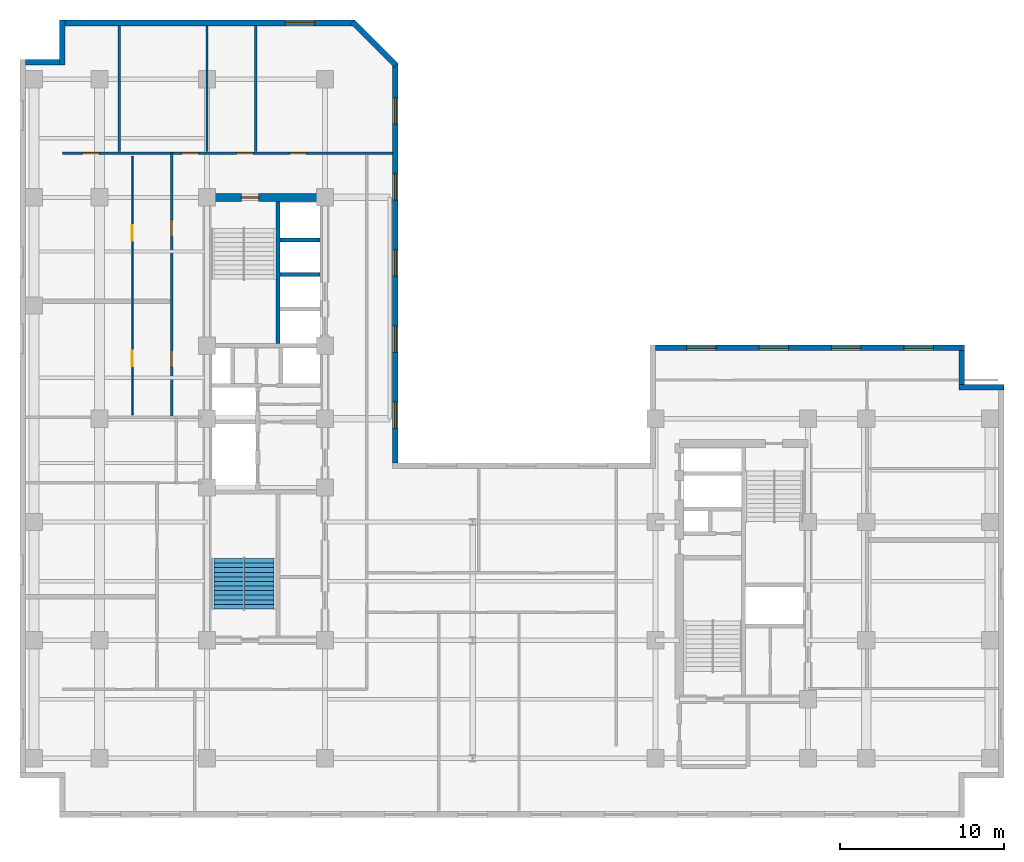
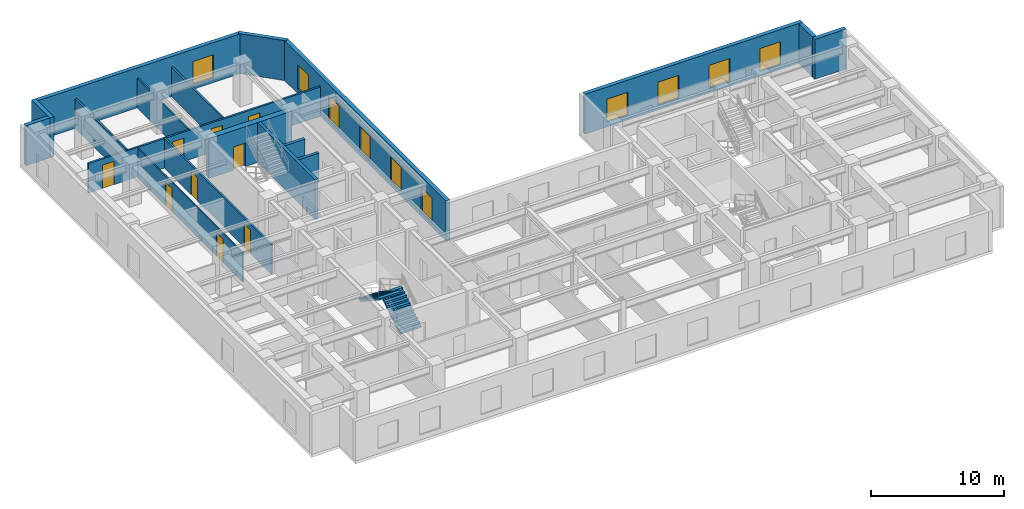
# One storey, part 6 of 10: 18 walls, 10 windows, 9 doors, 2 stair flights, 19 openings, 1 element without a shape of its own.
"""IFC4 building model written with IfcOpenShell, lengths in metres."""

from ifc_helpers import new_model, entity, si_unit, converted_unit, direction, frame, origin_with_axes, origin_2d_with_axis, place, context, subcontext, project, spatial, polyline, rectangle, outline, extrude, material, layer, layer_set, type_object, element, fill, aggregate, save


model = new_model("IFC4")

# Units and contexts
model_context = context("Model", 3, precision=1e-05, world=origin_with_axes(), true_north=direction((0.0, 1.0)))
body_context = subcontext(model_context, "Body", "Model", "MODEL_VIEW")
ifc_project = project(units=[si_unit("LENGTHUNIT", "METRE"), si_unit("AREAUNIT", "SQUARE_METRE"), si_unit("VOLUMEUNIT", "CUBIC_METRE"), converted_unit("PLANEANGLEUNIT", "DEGREE", entity("IfcPlaneAngleMeasure", 0.017453292519943295), si_unit("PLANEANGLEUNIT", "RADIAN"), dimensions=[0, 0, 0, 0, 0, 0, 0]), si_unit("MASSUNIT", "GRAM", prefix="KILO"), si_unit("THERMODYNAMICTEMPERATUREUNIT", "KELVIN")], contexts=[model_context])

# Site, building, storey
site_placement = place(None, origin_with_axes())
site = spatial("IfcSite", under=ifc_project, at=site_placement, CompositionType="ELEMENT")
building_placement = place(site_placement, origin_with_axes())
building = spatial("IfcBuilding", under=site, at=building_placement, Name="Varnlund Millrace Tower", CompositionType="ELEMENT")
storey_placement = place(building_placement, frame((0.0, 0.0, 156.3), z_axis=(0.0, 0.0, 1.0), x_axis=(1.0, 0.0, 0.0)))
storey = spatial("IfcBuildingStorey", under=building, at=storey_placement, Name="L38", CompositionType="ELEMENT", Elevation=156.3)

# Wall, opening, door
ifc_material_1 = material(Name="Concrete C70/85", Category="concrete")
ifc_layer_1 = layer(ifc_material_1, 0.5, Name="Concrete C70/85")
ifc_layer_set_1 = layer_set([ifc_layer_1], Name="Concrete C70/85")
wall_type_1 = type_object("IfcWallType", Name="Type-CoreWall-Shear-500-C70", PredefinedType="SHEAR", material=ifc_layer_set_1)
wall_1_placement = place(storey_placement, frame((11.4, 37.8, 0.0), z_axis=(0.0, 0.0, 1.0), x_axis=(1.0, 0.0, 0.0)))
wall_1 = element("IfcWall", 1, at=wall_1_placement, inside=storey, type_object=wall_type_1, Name="Type-CoreWall-Shear-500-C70", PredefinedType="SHEAR", context=body_context, shape_type="SweptSolid", body=[
    extrude(outline(polyline([(0.0, -0.25), (7.2, -0.25), (7.2, 0.25), (0.0, 0.25), (0.0, -0.25)])), origin_with_axes(), (0.0, 0.0, 1.0), 3.66),
])
opening_1_placement = place(wall_1_placement, frame((2.625, 0.0, 0.0), z_axis=(0.0, 0.0, 1.0), x_axis=(1.0, 0.0, 0.0)))
opening_1 = element("IfcOpeningElement", 2, at=opening_1_placement, cuts=wall_1, Name="Opening L38:DR-STA2", PredefinedType="OPENING", context=body_context, shape_type="SweptSolid", body=[
    extrude(rectangle(XDim=1.05, YDim=0.52, at=origin_2d_with_axis()), origin_with_axes(), (0.0, 0.0, 1.0), 2.15),
])
ifc_material_2 = material(Name="Fire-rated hollow steel door", Category="steel")
door_type_1 = type_object("IfcDoorType", Name="Type-FireDoor-Stair-1050X2150", OperationType="NOTDEFINED", PredefinedType="DOOR", material=ifc_material_2)
door_1_placement = place(wall_1_placement, frame((2.625, 0.0, 0.0), z_axis=(0.0, 0.0, 1.0), x_axis=(1.0, 0.0, 0.0)))
door_1 = element("IfcDoor", 3, at=door_1_placement, inside=storey, type_object=door_type_1, Name="Type-FireDoor-Stair-1050X2150", OperationType="SINGLE_SWING_RIGHT", OverallHeight=2.15, OverallWidth=1.05, PredefinedType="DOOR", context=body_context, shape_type="SweptSolid", body=[
    extrude(rectangle(XDim=1.05, YDim=0.09, at=origin_2d_with_axis()), origin_with_axes(), (0.0, 0.0, 1.0), 2.15),
])
fill(opening_1, door_1)

# Wall, openings, windows
ifc_material_3 = material(Name="Precast concrete C50/60", Category="concrete")
ifc_layer_2 = layer(ifc_material_3, 0.34, Name="Precast concrete C50/60")
ifc_layer_set_2 = layer_set([ifc_layer_2], Name="Precast concrete C50/60")
wall_type_2 = type_object("IfcWallType", Name="Type-ExtWall-Precast-Upper-340", PredefinedType="SOLIDWALL", material=ifc_layer_set_2)
wall_2_placement = place(storey_placement, frame((38.74, 28.63, 0.0), z_axis=(0.0, 0.0, 1.0), x_axis=(1.0, 0.0, 0.0)))
wall_2 = element("IfcWall", 4, at=wall_2_placement, inside=storey, type_object=wall_type_2, Name="Type-ExtWall-Precast-Upper-340", PredefinedType="SOLIDWALL", context=body_context, shape_type="SweptSolid", body=[
    extrude(outline(polyline([(0.0, -0.17), (18.86, -0.17), (18.86, 0.17), (0.0, 0.17), (0.0, -0.17)])), origin_with_axes(), (0.0, 0.0, 1.0), 3.66),
])
opening_2_placement = place(wall_2_placement, frame((2.808, 0.0, 0.45), z_axis=(0.0, 0.0, 1.0), x_axis=(1.0, 0.0, 0.0)))
opening_2 = element("IfcOpeningElement", 5, at=opening_2_placement, cuts=wall_2, Name="Opening L38:WN-01", PredefinedType="OPENING", context=body_context, shape_type="SweptSolid", body=[
    extrude(rectangle(XDim=1.8, YDim=0.36, at=origin_2d_with_axis()), origin_with_axes(), (0.0, 0.0, 1.0), 2.1),
])
opening_3_placement = place(wall_2_placement, frame((7.222, 0.0, 0.45), z_axis=(0.0, 0.0, 1.0), x_axis=(1.0, 0.0, 0.0)))
opening_3 = element("IfcOpeningElement", 6, at=opening_3_placement, cuts=wall_2, Name="Opening L38:WN-02", PredefinedType="OPENING", context=body_context, shape_type="SweptSolid", body=[
    extrude(rectangle(XDim=1.8, YDim=0.36, at=origin_2d_with_axis()), origin_with_axes(), (0.0, 0.0, 1.0), 2.1),
])
opening_4_placement = place(wall_2_placement, frame((11.637, 0.0, 0.45), z_axis=(0.0, 0.0, 1.0), x_axis=(1.0, 0.0, 0.0)))
opening_4 = element("IfcOpeningElement", 7, at=opening_4_placement, cuts=wall_2, Name="Opening L38:WN-03", PredefinedType="OPENING", context=body_context, shape_type="SweptSolid", body=[
    extrude(rectangle(XDim=1.8, YDim=0.36, at=origin_2d_with_axis()), origin_with_axes(), (0.0, 0.0, 1.0), 2.1),
])
opening_5_placement = place(wall_2_placement, frame((16.053, 0.0, 0.45), z_axis=(0.0, 0.0, 1.0), x_axis=(1.0, 0.0, 0.0)))
opening_5 = element("IfcOpeningElement", 8, at=opening_5_placement, cuts=wall_2, Name="Opening L38:WN-04", PredefinedType="OPENING", context=body_context, shape_type="SweptSolid", body=[
    extrude(rectangle(XDim=1.8, YDim=0.36, at=origin_2d_with_axis()), origin_with_axes(), (0.0, 0.0, 1.0), 2.1),
])
ifc_material_4 = material(Name="Argon low-e triple glazing in thermally broken bronze frame", Category="glass")
window_type_1 = type_object("IfcWindowType", Name="Type-Window-Punched-1800X2100", PartitioningType="SINGLE_PANEL", PredefinedType="WINDOW", material=ifc_material_4)
window_1_placement = place(wall_2_placement, frame((2.808, 0.0, 0.45), z_axis=(0.0, 0.0, 1.0), x_axis=(1.0, 0.0, 0.0)))
window_1 = element("IfcWindow", 9, at=window_1_placement, inside=storey, type_object=window_type_1, Name="Type-Window-Punched-1800X2100", OverallHeight=2.1, OverallWidth=1.8, PredefinedType="WINDOW", context=body_context, shape_type="SweptSolid", body=[
    extrude(rectangle(XDim=1.8, YDim=0.09, at=origin_2d_with_axis()), origin_with_axes(), (0.0, 0.0, 1.0), 2.1),
])
fill(opening_2, window_1)
window_2_placement = place(wall_2_placement, frame((7.222, 0.0, 0.45), z_axis=(0.0, 0.0, 1.0), x_axis=(1.0, 0.0, 0.0)))
window_2 = element("IfcWindow", 10, at=window_2_placement, inside=storey, type_object=window_type_1, Name="Type-Window-Punched-1800X2100", OverallHeight=2.1, OverallWidth=1.8, PredefinedType="WINDOW", context=body_context, shape_type="SweptSolid", body=[
    extrude(rectangle(XDim=1.8, YDim=0.09, at=origin_2d_with_axis()), origin_with_axes(), (0.0, 0.0, 1.0), 2.1),
])
fill(opening_3, window_2)
window_3_placement = place(wall_2_placement, frame((11.637, 0.0, 0.45), z_axis=(0.0, 0.0, 1.0), x_axis=(1.0, 0.0, 0.0)))
window_3 = element("IfcWindow", 11, at=window_3_placement, inside=storey, type_object=window_type_1, Name="Type-Window-Punched-1800X2100", OverallHeight=2.1, OverallWidth=1.8, PredefinedType="WINDOW", context=body_context, shape_type="SweptSolid", body=[
    extrude(rectangle(XDim=1.8, YDim=0.09, at=origin_2d_with_axis()), origin_with_axes(), (0.0, 0.0, 1.0), 2.1),
])
fill(opening_4, window_3)
window_4_placement = place(wall_2_placement, frame((16.053, 0.0, 0.45), z_axis=(0.0, 0.0, 1.0), x_axis=(1.0, 0.0, 0.0)))
window_4 = element("IfcWindow", 12, at=window_4_placement, inside=storey, type_object=window_type_1, Name="Type-Window-Punched-1800X2100", OverallHeight=2.1, OverallWidth=1.8, PredefinedType="WINDOW", context=body_context, shape_type="SweptSolid", body=[
    extrude(rectangle(XDim=1.8, YDim=0.09, at=origin_2d_with_axis()), origin_with_axes(), (0.0, 0.0, 1.0), 2.1),
])
fill(opening_5, window_4)

# Walls
wall_3_placement = place(storey_placement, frame((57.43, 28.46, 0.0), z_axis=(0.0, 0.0, 1.0), x_axis=(0.0, -1.0, 0.0)))
element("IfcWall", 13, at=wall_3_placement, inside=storey, type_object=wall_type_2, Name="Type-ExtWall-Precast-Upper-340", PredefinedType="SOLIDWALL", context=body_context, shape_type="SweptSolid", body=[
    extrude(outline(polyline([(0.0, -0.17), (2.06, -0.17), (2.06, 0.17), (0.0, 0.17), (0.0, -0.17)])), origin_with_axes(), (0.0, 0.0, 1.0), 3.66),
])
wall_4_placement = place(storey_placement, frame((57.26, 26.23, 0.0), z_axis=(0.0, 0.0, 1.0), x_axis=(1.0, 0.0, 0.0)))
element("IfcWall", 14, at=wall_4_placement, inside=storey, type_object=wall_type_2, Name="Type-ExtWall-Precast-Upper-340", PredefinedType="SOLIDWALL", context=body_context, shape_type="SweptSolid", body=[
    extrude(outline(polyline([(0.0, -0.17), (2.74, -0.17), (2.74, 0.17), (0.0, 0.17), (0.0, -0.17)])), origin_with_axes(), (0.0, 0.0, 1.0), 3.66),
])
wall_5_placement = place(storey_placement, frame((0.34, 46.03, 0.0), z_axis=(0.0, 0.0, 1.0), x_axis=(1.0, 0.0, 0.0)))
element("IfcWall", 15, at=wall_5_placement, inside=storey, type_object=wall_type_2, Name="Type-ExtWall-Precast-Upper-340", PredefinedType="SOLIDWALL", context=body_context, shape_type="SweptSolid", body=[
    extrude(outline(polyline([(0.0, -0.17), (2.06, -0.17), (2.06, 0.17), (0.0, 0.17), (0.0, -0.17)])), origin_with_axes(), (0.0, 0.0, 1.0), 3.66),
])
wall_6_placement = place(storey_placement, frame((2.57, 45.86, 0.0), z_axis=(0.0, 0.0, 1.0), x_axis=(0.0, 1.0, 0.0)))
element("IfcWall", 16, at=wall_6_placement, inside=storey, type_object=wall_type_2, Name="Type-ExtWall-Precast-Upper-340", PredefinedType="SOLIDWALL", context=body_context, shape_type="SweptSolid", body=[
    extrude(outline(polyline([(0.0, -0.17), (2.74, -0.17), (2.74, 0.17), (0.0, 0.17), (0.0, -0.17)])), origin_with_axes(), (0.0, 0.0, 1.0), 3.66),
])

# Wall, opening, window
wall_7_placement = place(storey_placement, frame((2.74, 48.43, 0.0), z_axis=(0.0, 0.0, 1.0), x_axis=(1.0, 0.0, 0.0)))
wall_7 = element("IfcWall", 17, at=wall_7_placement, inside=storey, type_object=wall_type_2, Name="Type-ExtWall-Precast-Upper-340", PredefinedType="SOLIDWALL", context=body_context, shape_type="SweptSolid", body=[
    extrude(outline(polyline([(0.0, -0.17), (17.672, -0.17), (17.672, 0.17), (0.0, 0.17), (0.0, -0.17)])), origin_with_axes(), (0.0, 0.0, 1.0), 3.66),
])
opening_6_placement = place(wall_7_placement, frame((14.327, 0.0, 0.45), z_axis=(0.0, 0.0, 1.0), x_axis=(1.0, 0.0, 0.0)))
opening_6 = element("IfcOpeningElement", 18, at=opening_6_placement, cuts=wall_7, Name="Opening L38:WN-24", PredefinedType="OPENING", context=body_context, shape_type="SweptSolid", body=[
    extrude(rectangle(XDim=1.8, YDim=0.36, at=origin_2d_with_axis()), origin_with_axes(), (0.0, 0.0, 1.0), 2.1),
])
window_5_placement = place(wall_7_placement, frame((14.327, 0.0, 0.45), z_axis=(0.0, 0.0, 1.0), x_axis=(1.0, 0.0, 0.0)))
window_5 = element("IfcWindow", 19, at=window_5_placement, inside=storey, type_object=window_type_1, Name="Type-Window-Punched-1800X2100", OverallHeight=2.1, OverallWidth=1.8, PredefinedType="WINDOW", context=body_context, shape_type="SweptSolid", body=[
    extrude(rectangle(XDim=1.8, YDim=0.09, at=origin_2d_with_axis()), origin_with_axes(), (0.0, 0.0, 1.0), 2.1),
])
fill(opening_6, window_5)

# Wall
wall_8_placement = place(storey_placement, frame((20.278, 48.494, 0.0), z_axis=(0.0, 0.0, 1.0), x_axis=(0.707107, -0.707107, 0.0)))
element("IfcWall", 20, at=wall_8_placement, inside=storey, type_object=wall_type_2, Name="Type-ExtWall-Precast-Upper-340", PredefinedType="SOLIDWALL", context=body_context, shape_type="SweptSolid", body=[
    extrude(outline(polyline([(0.0, -0.17), (3.753323, -0.17), (3.753323, 0.17), (0.0, 0.17), (0.0, -0.17)])), origin_with_axes(), (0.0, 0.0, 1.0), 3.66),
])

# Wall, openings, windows
wall_9_placement = place(storey_placement, frame((22.882, 45.98, 0.0), z_axis=(0.0, 0.0, 1.0), x_axis=(0.0, -1.0, 0.0)))
wall_9 = element("IfcWall", 21, at=wall_9_placement, inside=storey, type_object=wall_type_2, Name="Type-ExtWall-Precast-Upper-340", PredefinedType="SOLIDWALL", context=body_context, shape_type="SweptSolid", body=[
    extrude(outline(polyline([(0.0, -0.17), (24.38, -0.17), (24.38, 0.17), (0.0, 0.17), (0.0, -0.17)])), origin_with_axes(), (0.0, 0.0, 1.0), 3.66),
])
opening_7_placement = place(wall_9_placement, frame((2.918, 0.0, 0.45), z_axis=(0.0, 0.0, 1.0), x_axis=(1.0, 0.0, 0.0)))
opening_7 = element("IfcOpeningElement", 22, at=opening_7_placement, cuts=wall_9, Name="Opening L38:WN-25", PredefinedType="OPENING", context=body_context, shape_type="SweptSolid", body=[
    extrude(rectangle(XDim=1.6, YDim=0.36, at=origin_2d_with_axis()), origin_with_axes(), (0.0, 0.0, 1.0), 2.2),
])
opening_8_placement = place(wall_9_placement, frame((7.554, 0.0, 0.45), z_axis=(0.0, 0.0, 1.0), x_axis=(1.0, 0.0, 0.0)))
opening_8 = element("IfcOpeningElement", 23, at=opening_8_placement, cuts=wall_9, Name="Opening L38:WN-26", PredefinedType="OPENING", context=body_context, shape_type="SweptSolid", body=[
    extrude(rectangle(XDim=1.6, YDim=0.36, at=origin_2d_with_axis()), origin_with_axes(), (0.0, 0.0, 1.0), 2.2),
])
opening_9_placement = place(wall_9_placement, frame((12.19, 0.0, 0.45), z_axis=(0.0, 0.0, 1.0), x_axis=(1.0, 0.0, 0.0)))
opening_9 = element("IfcOpeningElement", 24, at=opening_9_placement, cuts=wall_9, Name="Opening L38:WN-27", PredefinedType="OPENING", context=body_context, shape_type="SweptSolid", body=[
    extrude(rectangle(XDim=1.6, YDim=0.36, at=origin_2d_with_axis()), origin_with_axes(), (0.0, 0.0, 1.0), 2.2),
])
opening_10_placement = place(wall_9_placement, frame((16.826, 0.0, 0.45), z_axis=(0.0, 0.0, 1.0), x_axis=(1.0, 0.0, 0.0)))
opening_10 = element("IfcOpeningElement", 25, at=opening_10_placement, cuts=wall_9, Name="Opening L38:WN-28", PredefinedType="OPENING", context=body_context, shape_type="SweptSolid", body=[
    extrude(rectangle(XDim=1.6, YDim=0.36, at=origin_2d_with_axis()), origin_with_axes(), (0.0, 0.0, 1.0), 2.2),
])
opening_11_placement = place(wall_9_placement, frame((21.462, 0.0, 0.45), z_axis=(0.0, 0.0, 1.0), x_axis=(1.0, 0.0, 0.0)))
opening_11 = element("IfcOpeningElement", 26, at=opening_11_placement, cuts=wall_9, Name="Opening L38:WN-29", PredefinedType="OPENING", context=body_context, shape_type="SweptSolid", body=[
    extrude(rectangle(XDim=1.6, YDim=0.36, at=origin_2d_with_axis()), origin_with_axes(), (0.0, 0.0, 1.0), 2.2),
])
window_type_2 = type_object("IfcWindowType", Name="Type-Window-Slot-1600X2200", PartitioningType="SINGLE_PANEL", PredefinedType="WINDOW", material=ifc_material_4)
window_6_placement = place(wall_9_placement, frame((2.918, 0.0, 0.45), z_axis=(0.0, 0.0, 1.0), x_axis=(1.0, 0.0, 0.0)))
window_6 = element("IfcWindow", 27, at=window_6_placement, inside=storey, type_object=window_type_2, Name="Type-Window-Slot-1600X2200", OverallHeight=2.2, OverallWidth=1.6, PredefinedType="WINDOW", context=body_context, shape_type="SweptSolid", body=[
    extrude(rectangle(XDim=1.6, YDim=0.09, at=origin_2d_with_axis()), origin_with_axes(), (0.0, 0.0, 1.0), 2.2),
])
fill(opening_7, window_6)
window_7_placement = place(wall_9_placement, frame((7.554, 0.0, 0.45), z_axis=(0.0, 0.0, 1.0), x_axis=(1.0, 0.0, 0.0)))
window_7 = element("IfcWindow", 28, at=window_7_placement, inside=storey, type_object=window_type_2, Name="Type-Window-Slot-1600X2200", OverallHeight=2.2, OverallWidth=1.6, PredefinedType="WINDOW", context=body_context, shape_type="SweptSolid", body=[
    extrude(rectangle(XDim=1.6, YDim=0.09, at=origin_2d_with_axis()), origin_with_axes(), (0.0, 0.0, 1.0), 2.2),
])
fill(opening_8, window_7)
window_8_placement = place(wall_9_placement, frame((12.19, 0.0, 0.45), z_axis=(0.0, 0.0, 1.0), x_axis=(1.0, 0.0, 0.0)))
window_8 = element("IfcWindow", 29, at=window_8_placement, inside=storey, type_object=window_type_2, Name="Type-Window-Slot-1600X2200", OverallHeight=2.2, OverallWidth=1.6, PredefinedType="WINDOW", context=body_context, shape_type="SweptSolid", body=[
    extrude(rectangle(XDim=1.6, YDim=0.09, at=origin_2d_with_axis()), origin_with_axes(), (0.0, 0.0, 1.0), 2.2),
])
fill(opening_9, window_8)
window_9_placement = place(wall_9_placement, frame((16.826, 0.0, 0.45), z_axis=(0.0, 0.0, 1.0), x_axis=(1.0, 0.0, 0.0)))
window_9 = element("IfcWindow", 30, at=window_9_placement, inside=storey, type_object=window_type_2, Name="Type-Window-Slot-1600X2200", OverallHeight=2.2, OverallWidth=1.6, PredefinedType="WINDOW", context=body_context, shape_type="SweptSolid", body=[
    extrude(rectangle(XDim=1.6, YDim=0.09, at=origin_2d_with_axis()), origin_with_axes(), (0.0, 0.0, 1.0), 2.2),
])
fill(opening_10, window_9)
window_10_placement = place(wall_9_placement, frame((21.462, 0.0, 0.45), z_axis=(0.0, 0.0, 1.0), x_axis=(1.0, 0.0, 0.0)))
window_10 = element("IfcWindow", 31, at=window_10_placement, inside=storey, type_object=window_type_2, Name="Type-Window-Slot-1600X2200", OverallHeight=2.2, OverallWidth=1.6, PredefinedType="WINDOW", context=body_context, shape_type="SweptSolid", body=[
    extrude(rectangle(XDim=1.6, YDim=0.09, at=origin_2d_with_axis()), origin_with_axes(), (0.0, 0.0, 1.0), 2.2),
])
fill(opening_11, window_10)

# Wall, openings, doors
ifc_material_5 = material(Name="Fire-rated gypsum board on cold-formed steel framing", Category="steel")
ifc_layer_3 = layer(ifc_material_5, 0.16, Name="Fire-rated gypsum board on cold-formed steel framing")
ifc_layer_set_3 = layer_set([ifc_layer_3], Name="Fire-rated gypsum board on cold-formed steel framing")
wall_type_3 = type_object("IfcWallType", Name="Type-Partition-Corridor-160", PredefinedType="PARTITIONING", material=ifc_layer_set_3)
wall_10_placement = place(storey_placement, frame((2.6, 40.5, 0.0), z_axis=(0.0, 0.0, 1.0), x_axis=(1.0, 0.0, 0.0)))
wall_10 = element("IfcWall", 32, at=wall_10_placement, inside=storey, type_object=wall_type_3, Name="Type-Partition-Corridor-160", PredefinedType="PARTITIONING", context=body_context, shape_type="SweptSolid", body=[
    extrude(outline(polyline([(0.0, -0.08), (20.117, -0.08), (20.117, 0.08), (0.0, 0.08), (0.0, -0.08)])), origin_with_axes(), (0.0, 0.0, 1.0), 2.7),
])
opening_12_placement = place(wall_10_placement, frame((1.7205, 0.0, 0.0), z_axis=(0.0, 0.0, 1.0), x_axis=(1.0, 0.0, 0.0)))
opening_12 = element("IfcOpeningElement", 33, at=opening_12_placement, cuts=wall_10, Name="Opening L38:DR-WAN-01", PredefinedType="OPENING", context=body_context, shape_type="SweptSolid", body=[
    extrude(rectangle(XDim=1.0, YDim=0.18, at=origin_2d_with_axis()), origin_with_axes(), (0.0, 0.0, 1.0), 2.15),
])
opening_13_placement = place(wall_10_placement, frame((7.776, 0.0, 0.0), z_axis=(0.0, 0.0, 1.0), x_axis=(1.0, 0.0, 0.0)))
opening_13 = element("IfcOpeningElement", 34, at=opening_13_placement, cuts=wall_10, Name="Opening L38:DR-WAN-02", PredefinedType="OPENING", context=body_context, shape_type="SweptSolid", body=[
    extrude(rectangle(XDim=1.0, YDim=0.18, at=origin_2d_with_axis()), origin_with_axes(), (0.0, 0.0, 1.0), 2.15),
])
opening_14_placement = place(wall_10_placement, frame((11.113, 0.0, 0.0), z_axis=(0.0, 0.0, 1.0), x_axis=(1.0, 0.0, 0.0)))
opening_14 = element("IfcOpeningElement", 35, at=opening_14_placement, cuts=wall_10, Name="Opening L38:DR-WAN-03", PredefinedType="OPENING", context=body_context, shape_type="SweptSolid", body=[
    extrude(rectangle(XDim=1.0, YDim=0.18, at=origin_2d_with_axis()), origin_with_axes(), (0.0, 0.0, 1.0), 2.15),
])
opening_15_placement = place(wall_10_placement, frame((14.3525, 0.0, 0.0), z_axis=(0.0, 0.0, 1.0), x_axis=(1.0, 0.0, 0.0)))
opening_15 = element("IfcOpeningElement", 36, at=opening_15_placement, cuts=wall_10, Name="Opening L38:DR-WAN-04", PredefinedType="OPENING", context=body_context, shape_type="SweptSolid", body=[
    extrude(rectangle(XDim=1.0, YDim=0.18, at=origin_2d_with_axis()), origin_with_axes(), (0.0, 0.0, 1.0), 2.15),
])
ifc_material_6 = material(Name="Solid-core white oak and bronze frame door")
door_type_2 = type_object("IfcDoorType", Name="Type-IntDoor-Office-1000X2150", OperationType="NOTDEFINED", PredefinedType="DOOR", material=ifc_material_6)
door_2_placement = place(wall_10_placement, frame((1.7205, 0.0, 0.0), z_axis=(0.0, 0.0, 1.0), x_axis=(1.0, 0.0, 0.0)))
door_2 = element("IfcDoor", 37, at=door_2_placement, inside=storey, type_object=door_type_2, Name="Type-IntDoor-Office-1000X2150", OperationType="SINGLE_SWING_LEFT", OverallHeight=2.15, OverallWidth=1.0, PredefinedType="DOOR", context=body_context, shape_type="SweptSolid", body=[
    extrude(rectangle(XDim=1.0, YDim=0.09, at=origin_2d_with_axis()), origin_with_axes(), (0.0, 0.0, 1.0), 2.15),
])
fill(opening_12, door_2)
door_3_placement = place(wall_10_placement, frame((7.776, 0.0, 0.0), z_axis=(0.0, 0.0, 1.0), x_axis=(1.0, 0.0, 0.0)))
door_3 = element("IfcDoor", 38, at=door_3_placement, inside=storey, type_object=door_type_2, Name="Type-IntDoor-Office-1000X2150", OperationType="SINGLE_SWING_RIGHT", OverallHeight=2.15, OverallWidth=1.0, PredefinedType="DOOR", context=body_context, shape_type="SweptSolid", body=[
    extrude(rectangle(XDim=1.0, YDim=0.09, at=origin_2d_with_axis()), origin_with_axes(), (0.0, 0.0, 1.0), 2.15),
])
fill(opening_13, door_3)
door_4_placement = place(wall_10_placement, frame((11.113, 0.0, 0.0), z_axis=(0.0, 0.0, 1.0), x_axis=(1.0, 0.0, 0.0)))
door_4 = element("IfcDoor", 39, at=door_4_placement, inside=storey, type_object=door_type_2, Name="Type-IntDoor-Office-1000X2150", OperationType="SINGLE_SWING_LEFT", OverallHeight=2.15, OverallWidth=1.0, PredefinedType="DOOR", context=body_context, shape_type="SweptSolid", body=[
    extrude(rectangle(XDim=1.0, YDim=0.09, at=origin_2d_with_axis()), origin_with_axes(), (0.0, 0.0, 1.0), 2.15),
])
fill(opening_14, door_4)
door_5_placement = place(wall_10_placement, frame((14.3525, 0.0, 0.0), z_axis=(0.0, 0.0, 1.0), x_axis=(1.0, 0.0, 0.0)))
door_5 = element("IfcDoor", 40, at=door_5_placement, inside=storey, type_object=door_type_2, Name="Type-IntDoor-Office-1000X2150", OperationType="SINGLE_SWING_RIGHT", OverallHeight=2.15, OverallWidth=1.0, PredefinedType="DOOR", context=body_context, shape_type="SweptSolid", body=[
    extrude(rectangle(XDim=1.0, YDim=0.09, at=origin_2d_with_axis()), origin_with_axes(), (0.0, 0.0, 1.0), 2.15),
])
fill(opening_15, door_5)

wall_11_placement = place(storey_placement, frame((9.25, 24.4, 0.0), z_axis=(0.0, 0.0, 1.0), x_axis=(0.0, 1.0, 0.0)))
wall_11 = element("IfcWall", 41, at=wall_11_placement, inside=storey, type_object=wall_type_3, Name="Type-Partition-Corridor-160", PredefinedType="PARTITIONING", context=body_context, shape_type="SweptSolid", body=[
    extrude(outline(polyline([(0.0, -0.08), (16.1, -0.08), (16.1, 0.08), (0.0, 0.08), (0.0, -0.08)])), origin_with_axes(), (0.0, 0.0, 1.0), 2.7),
])
opening_16_placement = place(wall_11_placement, frame((3.5675, 0.0, 0.0), z_axis=(0.0, 0.0, 1.0), x_axis=(1.0, 0.0, 0.0)))
opening_16 = element("IfcOpeningElement", 42, at=opening_16_placement, cuts=wall_11, Name="Opening L38:DR-WN-01", PredefinedType="OPENING", context=body_context, shape_type="SweptSolid", body=[
    extrude(rectangle(XDim=1.0, YDim=0.18, at=origin_2d_with_axis()), origin_with_axes(), (0.0, 0.0, 1.0), 2.15),
])
opening_17_placement = place(wall_11_placement, frame((11.5125, 0.0, 0.0), z_axis=(0.0, 0.0, 1.0), x_axis=(1.0, 0.0, 0.0)))
opening_17 = element("IfcOpeningElement", 43, at=opening_17_placement, cuts=wall_11, Name="Opening L38:DR-WN-02", PredefinedType="OPENING", context=body_context, shape_type="SweptSolid", body=[
    extrude(rectangle(XDim=1.0, YDim=0.18, at=origin_2d_with_axis()), origin_with_axes(), (0.0, 0.0, 1.0), 2.15),
])
door_6_placement = place(wall_11_placement, frame((3.5675, 0.0, 0.0), z_axis=(0.0, 0.0, 1.0), x_axis=(1.0, 0.0, 0.0)))
door_6 = element("IfcDoor", 44, at=door_6_placement, inside=storey, type_object=door_type_2, Name="Type-IntDoor-Office-1000X2150", OperationType="SINGLE_SWING_LEFT", OverallHeight=2.15, OverallWidth=1.0, PredefinedType="DOOR", context=body_context, shape_type="SweptSolid", body=[
    extrude(rectangle(XDim=1.0, YDim=0.09, at=origin_2d_with_axis()), origin_with_axes(), (0.0, 0.0, 1.0), 2.15),
])
fill(opening_16, door_6)
door_7_placement = place(wall_11_placement, frame((11.5125, 0.0, 0.0), z_axis=(0.0, 0.0, 1.0), x_axis=(1.0, 0.0, 0.0)))
door_7 = element("IfcDoor", 45, at=door_7_placement, inside=storey, type_object=door_type_2, Name="Type-IntDoor-Office-1000X2150", OperationType="SINGLE_SWING_RIGHT", OverallHeight=2.15, OverallWidth=1.0, PredefinedType="DOOR", context=body_context, shape_type="SweptSolid", body=[
    extrude(rectangle(XDim=1.0, YDim=0.09, at=origin_2d_with_axis()), origin_with_axes(), (0.0, 0.0, 1.0), 2.15),
])
fill(opening_17, door_7)

# Walls
ifc_material_7 = material(Name="Acoustic STC-50 gypsum board partition", Category="gypsum")
ifc_layer_4 = layer(ifc_material_7, 0.15, Name="Acoustic STC-50 gypsum board partition")
ifc_layer_set_4 = layer_set([ifc_layer_4], Name="Acoustic STC-50 gypsum board partition")
wall_type_4 = type_object("IfcWallType", Name="Type-Partition-Demising-150", PredefinedType="PARTITIONING", material=ifc_layer_set_4)
for number, where, z_axis, x_axis, name in (
    (46, (6.051, 40.6, 0.0), (0.0, 0.0, 1.0), (0.0, 1.0, 0.0), "Type-Partition-Demising-150"),
    (47, (14.383, 40.6, 0.0), (0.0, 0.0, 1.0), (0.0, 1.0, 0.0), "Type-Partition-Demising-150"),
):
    element("IfcWall", number, at=place(storey_placement, frame(where, z_axis=z_axis, x_axis=x_axis)), inside=storey, type_object=wall_type_4, Name=name, PredefinedType="PARTITIONING", context=body_context, shape_type="SweptSolid", body=[
        extrude(outline(polyline([(0.0, -0.075), (7.665, -0.075), (7.665, 0.075), (0.0, 0.075), (0.0, -0.075)])), origin_with_axes(), (0.0, 0.0, 1.0), 2.7),
    ])

# Wall, openings, doors
ifc_material_8 = material(Name="Architectural bronze and acoustic glass office front", Category="glass")
ifc_layer_5 = layer(ifc_material_8, 0.1, Name="Architectural bronze and acoustic glass office front")
ifc_layer_set_5 = layer_set([ifc_layer_5], Name="Architectural bronze and acoustic glass office front")
wall_type_5 = type_object("IfcWallType", Name="Type-Partition-Glazed-100", PredefinedType="PARTITIONING", material=ifc_layer_set_5)
wall_12_placement = place(storey_placement, frame((6.85, 24.55, 0.0), z_axis=(0.0, 0.0, 1.0), x_axis=(0.0, 1.0, 0.0)))
wall_12 = element("IfcWall", 48, at=wall_12_placement, inside=storey, type_object=wall_type_5, Name="Type-Partition-Glazed-100", PredefinedType="PARTITIONING", context=body_context, shape_type="SweptSolid", body=[
    extrude(outline(polyline([(0.0, -0.05), (15.75, -0.05), (15.75, 0.05), (0.0, 0.05), (0.0, -0.05)])), origin_with_axes(), (0.0, 0.0, 1.0), 2.7),
])
opening_18_placement = place(wall_12_placement, frame((3.4175, 0.0, 0.0), z_axis=(0.0, 0.0, 1.0), x_axis=(1.0, 0.0, 0.0)))
opening_18 = element("IfcOpeningElement", 49, at=opening_18_placement, cuts=wall_12, Name="Opening L38:DR-WN-S01", PredefinedType="OPENING", context=body_context, shape_type="SweptSolid", body=[
    extrude(rectangle(XDim=0.95, YDim=0.12, at=origin_2d_with_axis()), origin_with_axes(), (0.0, 0.0, 1.0), 2.15),
])
opening_19_placement = place(wall_12_placement, frame((11.082, 0.0, 0.0), z_axis=(0.0, 0.0, 1.0), x_axis=(1.0, 0.0, 0.0)))
opening_19 = element("IfcOpeningElement", 50, at=opening_19_placement, cuts=wall_12, Name="Opening L38:DR-WN-S02", PredefinedType="OPENING", context=body_context, shape_type="SweptSolid", body=[
    extrude(rectangle(XDim=0.95, YDim=0.12, at=origin_2d_with_axis()), origin_with_axes(), (0.0, 0.0, 1.0), 2.15),
])
ifc_material_9 = material(Name="Solid-core acoustic office door")
door_type_3 = type_object("IfcDoorType", Name="Type-IntDoor-Tenant-950X2150", OperationType="NOTDEFINED", PredefinedType="DOOR", material=ifc_material_9)
door_8_placement = place(wall_12_placement, frame((3.4175, 0.0, 0.0), z_axis=(0.0, 0.0, 1.0), x_axis=(1.0, 0.0, 0.0)))
door_8 = element("IfcDoor", 51, at=door_8_placement, inside=storey, type_object=door_type_3, Name="Type-IntDoor-Tenant-950X2150", OperationType="SINGLE_SWING_LEFT", OverallHeight=2.15, OverallWidth=0.95, PredefinedType="DOOR", context=body_context, shape_type="SweptSolid", body=[
    extrude(rectangle(XDim=0.95, YDim=0.06, at=origin_2d_with_axis()), origin_with_axes(), (0.0, 0.0, 1.0), 2.15),
])
fill(opening_18, door_8)
door_9_placement = place(wall_12_placement, frame((11.082, 0.0, 0.0), z_axis=(0.0, 0.0, 1.0), x_axis=(1.0, 0.0, 0.0)))
door_9 = element("IfcDoor", 52, at=door_9_placement, inside=storey, type_object=door_type_3, Name="Type-IntDoor-Tenant-950X2150", OperationType="SINGLE_SWING_LEFT", OverallHeight=2.15, OverallWidth=0.95, PredefinedType="DOOR", context=body_context, shape_type="SweptSolid", body=[
    extrude(rectangle(XDim=0.95, YDim=0.06, at=origin_2d_with_axis()), origin_with_axes(), (0.0, 0.0, 1.0), 2.15),
])
fill(opening_19, door_9)

# Walls
ifc_material_10 = material(Name="Gypsum board tenant partition", Category="gypsum")
ifc_layer_6 = layer(ifc_material_10, 0.125, Name="Gypsum board tenant partition")
ifc_layer_set_6 = layer_set([ifc_layer_6], Name="Gypsum board tenant partition")
wall_type_6 = type_object("IfcWallType", Name="Type-Partition-Tenant-125", PredefinedType="PARTITIONING", material=ifc_layer_set_6)
wall_13_placement = place(storey_placement, frame((11.4, 40.6, 0.0), z_axis=(0.0, 0.0, 1.0), x_axis=(0.0, 1.0, 0.0)))
element("IfcWall", 53, at=wall_13_placement, inside=storey, type_object=wall_type_6, Name="Type-Partition-Tenant-125", PredefinedType="PARTITIONING", context=body_context, shape_type="SweptSolid", body=[
    extrude(outline(polyline([(0.0, -0.0625), (7.665, -0.0625), (7.665, 0.0625), (0.0, 0.0625), (0.0, -0.0625)])), origin_with_axes(), (0.0, 0.0, 1.0), 2.7),
])
ifc_material_11 = material(Name="Concrete C60/75", Category="concrete")
ifc_layer_7 = layer(ifc_material_11, 0.25, Name="Concrete C60/75")
ifc_layer_set_7 = layer_set([ifc_layer_7], Name="Concrete C60/75")
wall_type_7 = type_object("IfcWallType", Name="Type-ShaftWall-Fire-250", PredefinedType="SOLIDWALL", material=ifc_layer_set_7)
for number, where, z_axis, x_axis, name in (
    (54, (15.84, 33.1, 0.0), (0.0, 0.0, 1.0), (1.0, 0.0, 0.0), "Type-ShaftWall-Fire-250"),
    (55, (15.84, 35.2, 0.0), (0.0, 0.0, 1.0), (1.0, 0.0, 0.0), "Type-ShaftWall-Fire-250"),
):
    element("IfcWall", number, at=place(storey_placement, frame(where, z_axis=z_axis, x_axis=x_axis)), inside=storey, type_object=wall_type_7, Name=name, PredefinedType="SOLIDWALL", context=body_context, shape_type="SweptSolid", body=[
        extrude(outline(polyline([(0.0, -0.125), (2.46, -0.125), (2.46, 0.125), (0.0, 0.125), (0.0, -0.125)])), origin_with_axes(), (0.0, 0.0, 1.0), 2.7),
    ])
wall_type_8 = type_object("IfcWallType", Name="Type-StairWall-Shear-250", PredefinedType="SHEAR", material=ifc_layer_set_7)
wall_14_placement = place(storey_placement, frame((15.725, 28.9, 0.0), z_axis=(0.0, 0.0, 1.0), x_axis=(0.0, 1.0, 0.0)))
element("IfcWall", 56, at=wall_14_placement, inside=storey, type_object=wall_type_8, Name="Type-StairWall-Shear-250", PredefinedType="SHEAR", context=body_context, shape_type="SweptSolid", body=[
    extrude(outline(polyline([(0.0, -0.125), (8.65, -0.125), (8.65, 0.125), (0.0, 0.125), (0.0, -0.125)])), origin_with_axes(), (0.0, 0.0, 1.0), 3.66),
])

# Stair, stair flights
ifc_material_12 = material(Name="Concrete C50/60", Category="concrete")
stair_type = type_object("IfcStairType", Name="Type-Stair-Dogleg-185-390", PredefinedType="HALF_TURN_STAIR", material=ifc_material_12)
stair_placement = place(storey_placement, origin_with_axes())
stair = element("IfcStair", 57, at=stair_placement, inside=storey, type_object=stair_type, Name="Type-Stair-Dogleg-185-390", PredefinedType="HALF_TURN_STAIR")
stair_flight_type = type_object("IfcStairFlightType", Name="Type-Dogleg-Run-185-390", PredefinedType="STRAIGHT", material=ifc_material_3)
stair_flight_1_placement = place(storey_placement, frame((13.625, 12.7, 0.0), z_axis=(1.0, 0.0, 0.0), x_axis=(0.0, 1.0, 0.0)))
stair_flight_1 = element("IfcStairFlight", 58, at=stair_flight_1_placement, type_object=stair_flight_type, Name="ST-A1 flight 1", NumberOfRisers=11, NumberOfTreads=11, PredefinedType="STRAIGHT", RiserHeight=0.177273, TreadLength=0.28, context=body_context, shape_type="SweptSolid", body=[
    extrude(outline(polyline([(0.0, 0.0), (0.0, 0.177273), (0.28, 0.177273), (0.28, 0.354545), (0.56, 0.354545), (0.56, 0.531818), (0.84, 0.531818), (0.84, 0.709091), (1.12, 0.709091), (1.12, 0.886364), (1.4, 0.886364), (1.4, 1.063636), (1.68, 1.063636), (1.68, 1.240909), (1.96, 1.240909), (1.96, 1.418182), (2.24, 1.418182), (2.24, 1.595454), (2.52, 1.595454), (2.52, 1.772727), (2.8, 1.772727), (2.8, 1.95), (3.08, 1.95), (3.08, 1.8), (0.28, 0.0), (0.0, 0.0)])), origin_with_axes(), (0.0, 0.0, 1.0), 1.85),
])
stair_flight_2_placement = place(storey_placement, frame((13.675, 15.78, 1.95), z_axis=(-1.0, 0.0, 0.0), x_axis=(0.0, -1.0, 0.0)))
stair_flight_2 = element("IfcStairFlight", 59, at=stair_flight_2_placement, type_object=stair_flight_type, Name="ST-A1 flight 2", NumberOfRisers=11, NumberOfTreads=11, PredefinedType="STRAIGHT", RiserHeight=0.177273, TreadLength=0.28, context=body_context, shape_type="SweptSolid", body=[
    extrude(outline(polyline([(0.0, 0.0), (0.0, 0.177273), (0.28, 0.177273), (0.28, 0.354545), (0.56, 0.354545), (0.56, 0.531818), (0.84, 0.531818), (0.84, 0.709091), (1.12, 0.709091), (1.12, 0.886364), (1.4, 0.886364), (1.4, 1.063636), (1.68, 1.063636), (1.68, 1.240909), (1.96, 1.240909), (1.96, 1.418182), (2.24, 1.418182), (2.24, 1.595454), (2.52, 1.595454), (2.52, 1.772727), (2.8, 1.772727), (2.8, 1.95), (3.08, 1.95), (3.08, 1.8), (0.28, 0.0), (0.0, 0.0)])), origin_with_axes(), (0.0, 0.0, 1.0), 1.85),
])
aggregate(stair, [stair_flight_1, stair_flight_2])

save(model, "model.ifc")
